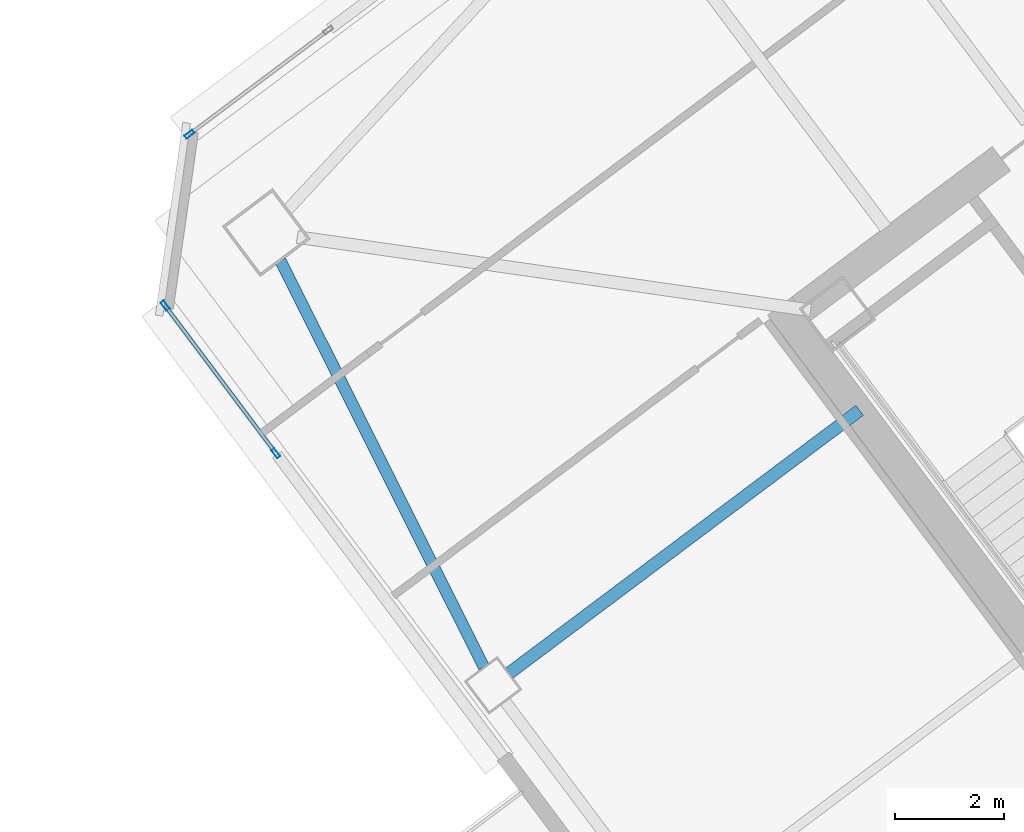
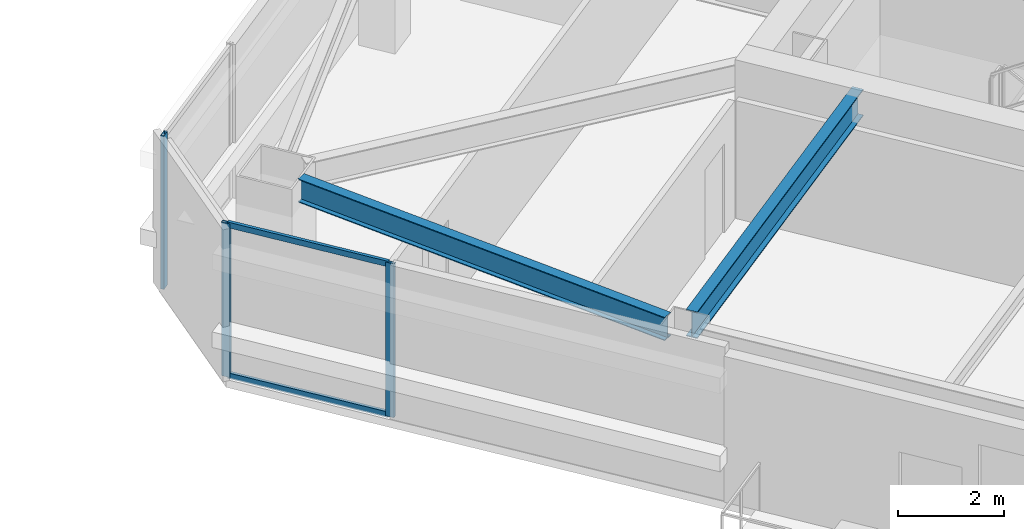
# One storey, part 18 of 41: 5 members, 2 beams, 2 elements without a shape of their own.
"""IFC4 building model written with IfcOpenShell, lengths in metres."""

from ifc_helpers import new_model, si_unit, direction, frame, origin, origin_2d, place, context, subcontext, project, spatial, hollow_rectangle, i_section, extrude, material, material_profile, profile_set, type_object, element, aggregate, save


model = new_model("IFC4")

# Units and contexts
model_context = context("Model", 3, precision=1e-05, world=origin(), true_north=direction((0.0, 1.0)))
body_context = subcontext(model_context, "Body", "Model", "MODEL_VIEW")
ifc_project = project(units=[si_unit("LENGTHUNIT", "METRE"), si_unit("AREAUNIT", "SQUARE_METRE"), si_unit("VOLUMEUNIT", "CUBIC_METRE"), si_unit("PLANEANGLEUNIT", "RADIAN"), si_unit("MASSUNIT", "GRAM", prefix="KILO")], contexts=[model_context])

# Site, building, storey
site_placement = place(None, origin())
site = spatial("IfcSite", under=ifc_project, at=site_placement, CompositionType="ELEMENT")
building_placement = place(site_placement, origin())
building = spatial("IfcBuilding", under=site, at=building_placement, Name="Tashvorn Skyway Center", CompositionType="ELEMENT")
storey_placement = place(building_placement, frame((0.0, 0.0, 174.75)))
storey = spatial("IfcBuildingStorey", under=building, at=storey_placement, Name="L47", CompositionType="ELEMENT", Elevation=174.75)

# Beams
ifc_material_1 = material(Name="Steel ASTM A992 Grade 50", Category="steel")
ifc_material_profile_1 = material_profile(ifc_material_1, i_section(OverallWidth=0.22998046875, OverallDepth=0.616943359375, WebThickness=0.01318359375, FlangeThickness=0.022216796875, at=origin_2d()), Name="W24X94")
ifc_profile_set_1 = profile_set([ifc_material_profile_1], Name="Steel ASTM A992 Grade 50")
beam_type_1 = type_object("IfcBeamType", Name="BM-BEAM-W24X94", PredefinedType="BEAM", material=ifc_profile_set_1)
beam_1_placement = place(storey_placement, frame((98.135986328125, 26.85205078125, 3.0615234375), z_axis=(0.799992675677, 0.60000976564, 0.0), x_axis=(-0.60000976564, 0.799992675677, 0.0)))
element("IfcBeam", 1, at=beam_1_placement, inside=storey, type_object=beam_type_1, Name="Tower 2 L47 Primary Floor Girder FC-W1", PredefinedType="BEAM", context=body_context, shape_type="SweptSolid", body=[
    extrude(i_section(OverallWidth=0.22998046875, OverallDepth=0.616943359375, WebThickness=0.01318359375, FlangeThickness=0.022216796875, at=origin_2d()), origin(), (0.0, 0.0, 1.0), 8.0),
])
ifc_material_profile_2 = material_profile(ifc_material_1, i_section(OverallWidth=0.2109375, OverallDepth=0.5390625, WebThickness=0.01171875, FlangeThickness=0.018798828125, at=origin_2d()), Name="W21X73")
ifc_profile_set_2 = profile_set([ifc_material_profile_2], Name="Steel ASTM A992 Grade 50")
beam_type_2 = type_object("IfcBeamType", Name="BM-SPANDREL-W21X73", PredefinedType="SPANDREL", material=ifc_profile_set_2)
beam_2_placement = place(storey_placement, frame((93.955078125, 34.390380859375, 3.1005859375), z_axis=(0.447648438059, -0.894209637559, 0.0), x_axis=(0.894209637559, 0.447648438059, 0.0)))
element("IfcBeam", 2, at=beam_2_placement, inside=storey, type_object=beam_type_2, Name="Tower 2 L47 Spandrel Beam 10", PredefinedType="SPANDREL", context=body_context, shape_type="SweptSolid", body=[
    extrude(i_section(OverallWidth=0.2109375, OverallDepth=0.5390625, WebThickness=0.01171875, FlangeThickness=0.018798828125, at=origin_2d()), origin(), (0.0, 0.0, 1.0), 8.308349609375),
])

# Curtain wall, members
ifc_material_2 = material(Name="Thermally broken bronze-anodized aluminium 6063-T6", Category="aluminium")
curtain_wall_type = type_object("IfcCurtainWallType", Name="CW-CW-Z4", PredefinedType="NOTDEFINED", material=ifc_material_2)
curtain_wall_1_placement = place(storey_placement, origin())
curtain_wall_1 = element("IfcCurtainWall", 3, at=curtain_wall_1_placement, inside=storey, type_object=curtain_wall_type, Name="Tower 2 L47 West Curtain Wall R Glazing Group 1", PredefinedType="NOTDEFINED")
ifc_material_profile_3 = material_profile(ifc_material_2, hollow_rectangle(XDim=0.070068359375, YDim=0.179931640625, WallThickness=0.00390625, at=origin_2d()), Name="ALU-MULL-70x180")
ifc_profile_set_3 = profile_set([ifc_material_profile_3], Name="Thermally broken bronze-anodized aluminium 6063-T6")
member_type_1 = type_object("IfcMemberType", Name="CWM-CW-Z4", PredefinedType="MULLION", material=ifc_profile_set_3)
member_1_placement = place(storey_placement, frame((93.873046875, 30.869384765625, 0.0), z_axis=(0.0, 0.0, 1.0), x_axis=(-0.800003484954, -0.599995353367, 0.0)))
member_1 = element("IfcMember", 4, at=member_1_placement, type_object=member_type_1, Name="CW-Z4 mullion 1", PredefinedType="MULLION", context=body_context, shape_type="SweptSolid", body=[
    extrude(hollow_rectangle(XDim=0.070068359375, YDim=0.179931640625, WallThickness=0.00390625, at=origin_2d()), origin(), (0.0, 0.0, 1.0), 3.550048828125),
])
member_2_placement = place(storey_placement, frame((91.84912109375, 33.568115234375, 0.0), z_axis=(0.0, 0.0, 1.0), x_axis=(-0.800003484954, -0.599995353367, 0.0)))
member_2 = element("IfcMember", 5, at=member_2_placement, type_object=member_type_1, Name="CW-Z4 mullion 2", PredefinedType="MULLION", context=body_context, shape_type="SweptSolid", body=[
    extrude(hollow_rectangle(XDim=0.070068359375, YDim=0.179931640625, WallThickness=0.00390625, at=origin_2d()), origin(), (0.0, 0.0, 1.0), 3.550048828125),
])

# Curtain wall, member
curtain_wall_2_placement = place(storey_placement, origin())
curtain_wall_2 = element("IfcCurtainWall", 6, at=curtain_wall_2_placement, inside=storey, type_object=curtain_wall_type, Name="Tower 2 L47 North Unitised Curtain Wall Glazing Group 1", PredefinedType="NOTDEFINED")
member_3_placement = place(storey_placement, frame((92.2958984375, 36.697021484375, 0.0), z_axis=(0.0, 0.0, 1.0), x_axis=(-0.600000000002, 0.799999999998, 0.0)))
member_3 = element("IfcMember", 7, at=member_3_placement, type_object=member_type_1, Name="CW-Z4 mullion 1", PredefinedType="MULLION", context=body_context, shape_type="SweptSolid", body=[
    extrude(hollow_rectangle(XDim=0.070068359375, YDim=0.179931640625, WallThickness=0.00390625, at=origin_2d()), origin(), (0.0, 0.0, 1.0), 3.550048828125),
])
aggregate(curtain_wall_2, [member_3])

# Member
ifc_material_profile_4 = material_profile(ifc_material_2, hollow_rectangle(XDim=0.070068359375, YDim=0.1298828125, WallThickness=0.00390625, at=origin_2d()), Name="ALU-TRAN-70x130")
ifc_profile_set_4 = profile_set([ifc_material_profile_4], Name="Thermally broken bronze-anodized aluminium 6063-T6")
member_type_2 = type_object("IfcMemberType", Name="CWT-CW-Z4", PredefinedType="USERDEFINED", material=ifc_profile_set_4)
member_4_placement = place(storey_placement, frame((93.85205078125, 30.897216796875, 0.034912109375), z_axis=(-0.599964524789, 0.800026605179, 0.0), x_axis=(-0.800026605179, -0.599964524789, 0.0)))
member_4 = element("IfcMember", 8, at=member_4_placement, type_object=member_type_2, Name="CW-Z4 transom 1.1", ObjectType="TRANSOM", PredefinedType="USERDEFINED", context=body_context, shape_type="SweptSolid", body=[
    extrude(hollow_rectangle(XDim=0.070068359375, YDim=0.1298828125, WallThickness=0.00390625, at=origin_2d()), origin(), (0.0, 0.0, 1.0), 3.303466796875),
])

member_5_placement = place(storey_placement, frame((93.85205078125, 30.897216796875, 3.514892578125), z_axis=(-0.599964524789, 0.800026605179, 0.0), x_axis=(-0.800026605179, -0.599964524789, 0.0)))
member_5 = element("IfcMember", 9, at=member_5_placement, type_object=member_type_2, Name="CW-Z4 transom 1.2", ObjectType="TRANSOM", PredefinedType="USERDEFINED", context=body_context, shape_type="SweptSolid", body=[
    extrude(hollow_rectangle(XDim=0.070068359375, YDim=0.1298828125, WallThickness=0.00390625, at=origin_2d()), origin(), (0.0, 0.0, 1.0), 3.303466796875),
])

aggregate(curtain_wall_1, [member_1, member_2, member_4, member_5])

save(model, "model.ifc")
